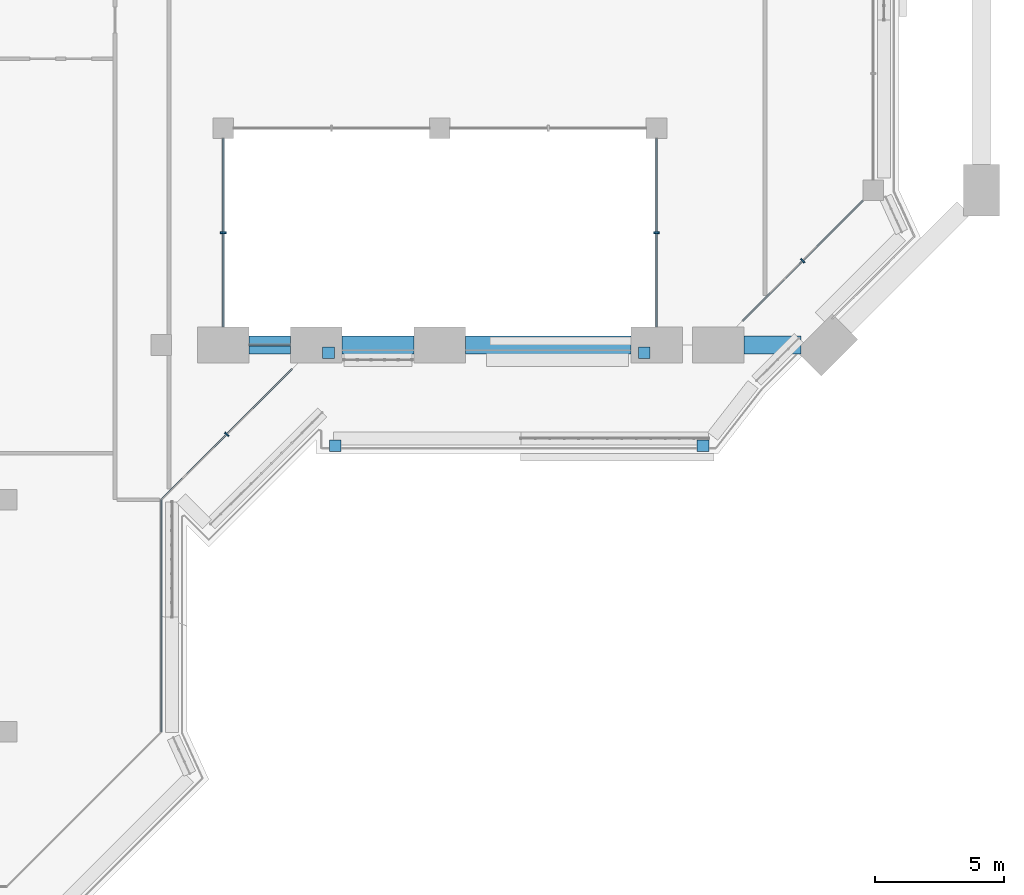
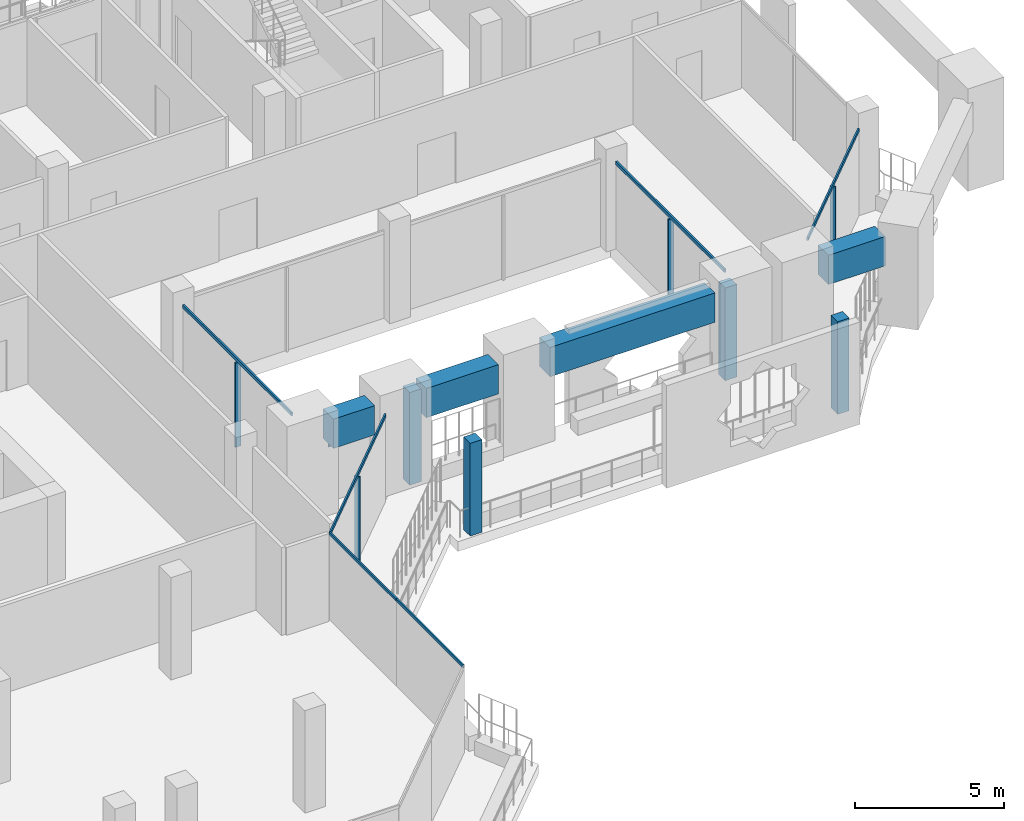
# One storey, part 4 of 23: 15 members, 4 beams, 7 elements without a shape of their own.
"""IFC4 building model written with IfcOpenShell, lengths in metres."""

from ifc_helpers import new_model, si_unit, direction, frame, origin, origin_2d, place, context, subcontext, project, spatial, rectangle, extrude, material, layer, layer_set, material_profile, profile_set, type_object, element, aggregate, save


model = new_model("IFC4")

# Units and contexts
model_context = context("Model", 3, precision=1e-05, world=origin(), true_north=direction((0.0, 1.0)))
body_context = subcontext(model_context, "Body", "Model", "MODEL_VIEW")
ifc_project = project(units=[si_unit("LENGTHUNIT", "METRE"), si_unit("AREAUNIT", "SQUARE_METRE"), si_unit("VOLUMEUNIT", "CUBIC_METRE"), si_unit("PLANEANGLEUNIT", "RADIAN"), si_unit("MASSUNIT", "GRAM", prefix="KILO")], contexts=[model_context])

# Site, building, storey
site_placement = place(None, origin())
site = spatial("IfcSite", under=ifc_project, at=site_placement, CompositionType="ELEMENT")
building_placement = place(site_placement, origin())
building = spatial("IfcBuilding", under=site, at=building_placement, Name="Kawkab Arch Medical Tower", CompositionType="ELEMENT")
storey_placement = place(building_placement, frame((0.0, 0.0, 281.800048828125)))
storey = spatial("IfcBuildingStorey", under=building, at=storey_placement, Name="L65", CompositionType="ELEMENT", Elevation=281.800048828125)

# Curtain wall, members
ifc_material_1 = material(Name="Bronze anodised aluminium curtain wall frame", Category="aluminium")
ifc_layer_1 = layer(ifc_material_1, 0.159912109375)
ifc_layer_set_1 = layer_set([ifc_layer_1], Name="Bronze anodised aluminium curtain wall frame")
curtain_wall_type_1 = type_object("IfcCurtainWallType", Name="CW1 ward curtain wall", PredefinedType="NOTDEFINED", material=ifc_layer_set_1)
placement = place(storey_placement, origin())
curtain_wall_1 = element("IfcCurtainWall", 1, at=placement, inside=storey, type_object=curtain_wall_type_1, Name="CW1 Ward curtain wall R16", PredefinedType="NOTDEFINED")
ifc_material_2 = material(Name="Bronze anodised aluminium curtain wall frame", Category="aluminium")
ifc_material_profile_1 = material_profile(ifc_material_2, rectangle(XDim=0.06005859375, YDim=0.1201171875, at=origin_2d()), Name="AL 60x120")
ifc_profile_set_1 = profile_set([ifc_material_profile_1], Name="Bronze anodised aluminium curtain wall frame")
member_type_1 = type_object("IfcMemberType", Name="CW1 transom 120 x 60", PredefinedType="USERDEFINED", material=ifc_profile_set_1)
member_1_placement = place(storey_placement, frame((31.199951171875, -40.199951171875, 3.5400390625), z_axis=(0.0, 1.0, 0.0), x_axis=(-1.0, 0.0, 0.0)))
member_1 = element("IfcMember", 2, at=member_1_placement, type_object=member_type_1, Name="CW1 transom 1", ObjectType="TRANSOM", PredefinedType="USERDEFINED", context=body_context, shape_type="SweptSolid", body=[
    extrude(rectangle(XDim=0.06005859375, YDim=0.1201171875, at=origin_2d()), origin(), (0.0, 0.0, 1.0), 4.5),
])
member_2_placement = place(storey_placement, frame((31.199951171875, -35.699951171875, 3.5400390625), z_axis=(0.0, 1.0, 0.0), x_axis=(-1.0, 0.0, 0.0)))
member_2 = element("IfcMember", 3, at=member_2_placement, type_object=member_type_1, Name="CW1 transom 2", ObjectType="TRANSOM", PredefinedType="USERDEFINED", context=body_context, shape_type="SweptSolid", body=[
    extrude(rectangle(XDim=0.06005859375, YDim=0.1201171875, at=origin_2d()), origin(), (0.0, 0.0, 1.0), 4.5),
])
aggregate(curtain_wall_1, [member_1, member_2])

# Curtain wall, member
ifc_material_3 = material(Name="Bronze anodised aluminium curtain wall frame", Category="aluminium")
ifc_layer_2 = layer(ifc_material_3, 0.159912109375)
ifc_layer_set_2 = layer_set([ifc_layer_2], Name="Bronze anodised aluminium curtain wall frame")
curtain_wall_type_2 = type_object("IfcCurtainWallType", Name="CW2 chamfer curtain wall", PredefinedType="NOTDEFINED", material=ifc_layer_set_2)
curtain_wall_2 = element("IfcCurtainWall", 4, at=placement, inside=storey, type_object=curtain_wall_type_2, Name="CW2 Chamfer curtain wall R01", PredefinedType="NOTDEFINED")
ifc_material_4 = material(Name="Bronze anodised aluminium curtain wall frame", Category="aluminium")
ifc_material_profile_2 = material_profile(ifc_material_4, rectangle(XDim=0.199951171875, YDim=0.06005859375, at=origin_2d()), Name="AL 60x200")
ifc_profile_set_2 = profile_set([ifc_material_profile_2], Name="Bronze anodised aluminium curtain wall frame")
member_type_2 = type_object("IfcMemberType", Name="CW2 mullion 60 x 200", PredefinedType="MULLION", material=ifc_profile_set_2)
member_3_placement = place(storey_placement, frame((33.73486328125, -28.665283203125, 0.0), z_axis=(0.0, 0.0, 1.0), x_axis=(-0.707106781187, 0.707106781187, 0.0)))
member_3 = element("IfcMember", 5, at=member_3_placement, type_object=member_type_2, Name="CW2 mullion 1.1", PredefinedType="MULLION", context=body_context, shape_type="SweptSolid", body=[
    extrude(rectangle(XDim=0.199951171875, YDim=0.06005859375, at=origin_2d()), origin(), (0.0, 0.0, 1.0), 3.4599609375),
])

curtain_wall_3 = element("IfcCurtainWall", 6, at=placement, inside=storey, type_object=curtain_wall_type_2, Name="CW2 Chamfer curtain wall R07", PredefinedType="NOTDEFINED")
member_4_placement = place(storey_placement, frame((56.065185546875, -21.934814453125, 0.0), z_axis=(0.0, 0.0, 1.0), x_axis=(-0.707106781187, 0.707106781187, 0.0)))
member_4 = element("IfcMember", 7, at=member_4_placement, type_object=member_type_2, Name="CW2 mullion 1.1", PredefinedType="MULLION", context=body_context, shape_type="SweptSolid", body=[
    extrude(rectangle(XDim=0.199951171875, YDim=0.06005859375, at=origin_2d()), origin(), (0.0, 0.0, 1.0), 3.4599609375),
])

# Member
ifc_material_5 = material(Name="Bronze anodised aluminium curtain wall frame", Category="aluminium")
ifc_material_profile_3 = material_profile(ifc_material_5, rectangle(XDim=0.06005859375, YDim=0.139892578125, at=origin_2d()), Name="AL 60x140")
ifc_profile_set_3 = profile_set([ifc_material_profile_3], Name="Bronze anodised aluminium curtain wall frame")
member_type_3 = type_object("IfcMemberType", Name="CW2 transom 140 x 60", PredefinedType="USERDEFINED", material=ifc_profile_set_3)
member_5_placement = place(storey_placement, frame((31.199951171875, -31.199951171875, 3.530029296875), z_axis=(0.707123806981, 0.707089754982, 0.0), x_axis=(-0.707089754982, 0.707123806981, 0.0)))
member_5 = element("IfcMember", 8, at=member_5_placement, type_object=member_type_3, Name="CW2 transom 1", ObjectType="TRANSOM", PredefinedType="USERDEFINED", context=body_context, shape_type="SweptSolid", body=[
    extrude(rectangle(XDim=0.06005859375, YDim=0.139892578125, at=origin_2d()), origin(), (0.0, 0.0, 1.0), 7.169677734375),
])

aggregate(curtain_wall_2, [member_5, member_3])

member_6_placement = place(storey_placement, frame((53.730224609375, -24.269775390625, 3.530029296875), z_axis=(0.707106781187, 0.707106781187, 0.0), x_axis=(-0.707106781187, 0.707106781187, 0.0)))
member_6 = element("IfcMember", 9, at=member_6_placement, type_object=member_type_3, Name="CW2 transom 1", ObjectType="TRANSOM", PredefinedType="USERDEFINED", context=body_context, shape_type="SweptSolid", body=[
    extrude(rectangle(XDim=0.06005859375, YDim=0.139892578125, at=origin_2d()), origin(), (0.0, 0.0, 1.0), 6.60400390625),
])

aggregate(curtain_wall_3, [member_6, member_4])

# Curtain wall, member
ifc_material_6 = material(Name="Bronze anodised aluminium curtain wall frame", Category="aluminium")
ifc_layer_3 = layer(ifc_material_6, 0.159912109375)
ifc_layer_set_3 = layer_set([ifc_layer_3], Name="Bronze anodised aluminium curtain wall frame")
curtain_wall_type_3 = type_object("IfcCurtainWallType", Name="CW3 sky garden curtain wall", PredefinedType="NOTDEFINED", material=ifc_layer_set_3)
curtain_wall_4 = element("IfcCurtainWall", 10, at=placement, inside=storey, type_object=curtain_wall_type_3, Name="CW3 Sky garden curtain wall R03", PredefinedType="NOTDEFINED")
ifc_material_7 = material(Name="Bronze anodised aluminium curtain wall frame", Category="aluminium")
ifc_material_profile_4 = material_profile(ifc_material_7, rectangle(XDim=0.219970703125, YDim=0.070068359375, at=origin_2d()), Name="AL 70x220")
ifc_profile_set_4 = profile_set([ifc_material_profile_4], Name="Bronze anodised aluminium curtain wall frame")
member_type_4 = type_object("IfcMemberType", Name="CW3 mullion 70 x 220", PredefinedType="MULLION", material=ifc_profile_set_4)
member_7_placement = place(storey_placement, frame((33.60009765625, -20.85009765625, 0.0), z_axis=(0.0, 0.0, 1.0), x_axis=(-1.0, 0.0, 0.0)))
member_7 = element("IfcMember", 11, at=member_7_placement, type_object=member_type_4, Name="CW3 mullion 1.1", PredefinedType="MULLION", context=body_context, shape_type="SweptSolid", body=[
    extrude(rectangle(XDim=0.219970703125, YDim=0.070068359375, at=origin_2d()), origin(), (0.0, 0.0, 1.0), 3.4599609375),
])

curtain_wall_5 = element("IfcCurtainWall", 12, at=placement, inside=storey, type_object=curtain_wall_type_3, Name="CW3 Sky garden curtain wall R05", PredefinedType="NOTDEFINED")
member_8_placement = place(storey_placement, frame((50.39990234375, -20.85009765625, 0.0), z_axis=(0.0, 0.0, 1.0), x_axis=(1.0, 0.0, 0.0)))
member_8 = element("IfcMember", 13, at=member_8_placement, type_object=member_type_4, Name="CW3 mullion 1.1", PredefinedType="MULLION", context=body_context, shape_type="SweptSolid", body=[
    extrude(rectangle(XDim=0.219970703125, YDim=0.070068359375, at=origin_2d()), origin(), (0.0, 0.0, 1.0), 3.4599609375),
])

curtain_wall_6 = element("IfcCurtainWall", 14, at=placement, inside=storey, type_object=curtain_wall_type_3, Name="CW3 Sky garden curtain wall R02", PredefinedType="NOTDEFINED")
ifc_material_8 = material(Name="Bronze anodised aluminium curtain wall frame", Category="aluminium")
ifc_material_profile_5 = material_profile(ifc_material_8, rectangle(XDim=0.070068359375, YDim=0.139892578125, at=origin_2d()), Name="AL 70x140")
ifc_profile_set_5 = profile_set([ifc_material_profile_5], Name="Bronze anodised aluminium curtain wall frame")
member_type_5 = type_object("IfcMemberType", Name="CW3 transom 140 x 70", PredefinedType="USERDEFINED", material=ifc_profile_set_5)
member_9_placement = place(storey_placement, frame((36.199951171875, -25.199951171875, 2.329833984375), z_axis=(-1.0, 0.0, 0.0), x_axis=(0.0, -1.0, 0.0)))
member_9 = element("IfcMember", 15, at=member_9_placement, type_object=member_type_5, Name="CW3 transom 1", ObjectType="TRANSOM", PredefinedType="USERDEFINED", context=body_context, shape_type="SweptSolid", body=[
    extrude(rectangle(XDim=0.070068359375, YDim=0.139892578125, at=origin_2d()), origin(), (0.0, 0.0, 1.0), 1.599853515625),
])
aggregate(curtain_wall_6, [member_9])

# Member
member_10_placement = place(storey_placement, frame((33.60009765625, -24.5, 3.530029296875), z_axis=(0.0, 1.0, 0.0), x_axis=(-1.0, 0.0, 0.0)))
member_10 = element("IfcMember", 16, at=member_10_placement, type_object=member_type_5, Name="CW3 transom 1", ObjectType="TRANSOM", PredefinedType="USERDEFINED", context=body_context, shape_type="SweptSolid", body=[
    extrude(rectangle(XDim=0.070068359375, YDim=0.139892578125, at=origin_2d()), origin(), (0.0, 0.0, 1.0), 7.300048828125),
])

aggregate(curtain_wall_4, [member_10, member_7])

member_11_placement = place(storey_placement, frame((50.39990234375, -17.199951171875, 3.530029296875), z_axis=(0.0, -1.0, 0.0), x_axis=(1.0, 0.0, 0.0)))
member_11 = element("IfcMember", 17, at=member_11_placement, type_object=member_type_5, Name="CW3 transom 1", ObjectType="TRANSOM", PredefinedType="USERDEFINED", context=body_context, shape_type="SweptSolid", body=[
    extrude(rectangle(XDim=0.070068359375, YDim=0.139892578125, at=origin_2d()), origin(), (0.0, 0.0, 1.0), 7.300048828125),
])

aggregate(curtain_wall_5, [member_11, member_8])

# Curtain wall, members
ifc_material_9 = material(Name="Bronze anodised aluminium climber frame, planted", Category="aluminium")
ifc_layer_4 = layer(ifc_material_9, 0.449951171875)
ifc_layer_set_4 = layer_set([ifc_layer_4], Name="Bronze anodised aluminium climber frame, planted")
curtain_wall_type_4 = type_object("IfcCurtainWallType", Name="Planted climber frame", PredefinedType="NOTDEFINED", material=ifc_layer_set_4)
curtain_wall_7 = element("IfcCurtainWall", 18, at=placement, inside=storey, type_object=curtain_wall_type_4, Name="Planted climber frame L65", PredefinedType="NOTDEFINED")
ifc_material_10 = material(Name="Bronze anodised aluminium climber frame, planted", Category="aluminium")
ifc_material_profile_6 = material_profile(ifc_material_10, rectangle(XDim=0.449951171875, YDim=0.449951171875, at=origin_2d()), Name="Post 450x450")
ifc_profile_set_6 = profile_set([ifc_material_profile_6], Name="Bronze anodised aluminium climber frame, planted")
member_type_6 = type_object("IfcMemberType", Name="Planted climber post 450 x 450", PredefinedType="MULLION", material=ifc_profile_set_6)
member_12_placement = place(storey_placement, frame((37.679931640625, -25.5, 0.0), z_axis=(0.0, 0.0, 1.0), x_axis=(1.0, 0.0, 0.0)))
member_12 = element("IfcMember", 19, at=member_12_placement, type_object=member_type_6, Name="Planted climber post L65.LOG-01-01.1", PredefinedType="MULLION", context=body_context, shape_type="SweptSolid", body=[
    extrude(rectangle(XDim=0.449951171875, YDim=0.449951171875, at=origin_2d()), origin(), (0.0, 0.0, 1.0), 3.800048828125),
])
member_13_placement = place(storey_placement, frame((49.919921875, -25.5, 0.0), z_axis=(0.0, 0.0, 1.0), x_axis=(1.0, 0.0, 0.0)))
member_13 = element("IfcMember", 20, at=member_13_placement, type_object=member_type_6, Name="Planted climber post L65.LOG-01-01.2", PredefinedType="MULLION", context=body_context, shape_type="SweptSolid", body=[
    extrude(rectangle(XDim=0.449951171875, YDim=0.449951171875, at=origin_2d()), origin(), (0.0, 0.0, 1.0), 3.800048828125),
])
member_14_placement = place(storey_placement, frame((52.202880859375, -29.10009765625, 0.0), z_axis=(0.0, 0.0, 1.0), x_axis=(1.0, 0.0, 0.0)))
member_14 = element("IfcMember", 21, at=member_14_placement, type_object=member_type_6, Name="Planted climber post L65.LOG-01-02.3", PredefinedType="MULLION", context=body_context, shape_type="SweptSolid", body=[
    extrude(rectangle(XDim=0.449951171875, YDim=0.449951171875, at=origin_2d()), origin(), (0.0, 0.0, 1.0), 3.800048828125),
])
member_15_placement = place(storey_placement, frame((37.949951171875, -29.10009765625, 0.0), z_axis=(0.0, 0.0, 1.0), x_axis=(1.0, 0.0, 0.0)))
member_15 = element("IfcMember", 22, at=member_15_placement, type_object=member_type_6, Name="Planted climber post L65.LOG-01-02.4", PredefinedType="MULLION", context=body_context, shape_type="SweptSolid", body=[
    extrude(rectangle(XDim=0.449951171875, YDim=0.449951171875, at=origin_2d()), origin(), (0.0, 0.0, 1.0), 3.800048828125),
])
aggregate(curtain_wall_7, [member_12, member_13, member_14, member_15])

# Beams
ifc_material_11 = material(Name="Concrete C40/50", Category="concrete")
ifc_material_profile_7 = material_profile(ifc_material_11, rectangle(XDim=0.699951171875, YDim=1.199951171875, at=origin_2d()), Name="RC 700x1200")
ifc_profile_set_7 = profile_set([ifc_material_profile_7], Name="Concrete C40/50")
beam_type = type_object("IfcBeamType", Name="RC 700x1200 beam C40/50", PredefinedType="BEAM", material=ifc_profile_set_7)
beam_1_placement = place(storey_placement, frame((49.39990234375, -25.199951171875, 3.0), z_axis=(-1.0, 0.0, 0.0), x_axis=(0.0, -1.0, 0.0)))
element("IfcBeam", 23, at=beam_1_placement, inside=storey, type_object=beam_type, Name="Terrace frame beam TF-L64-1-L66-01", PredefinedType="BEAM", context=body_context, shape_type="SweptSolid", body=[
    extrude(rectangle(XDim=0.699951171875, YDim=1.199951171875, at=origin_2d()), origin(), (0.0, 0.0, 1.0), 6.39990234375),
])
beam_2_placement = place(storey_placement, frame((41.0, -25.199951171875, 3.0), z_axis=(-1.0, 0.0, 0.0), x_axis=(0.0, -1.0, 0.0)))
element("IfcBeam", 24, at=beam_2_placement, inside=storey, type_object=beam_type, Name="Terrace frame beam TF-L64-1-L66-02", PredefinedType="BEAM", context=body_context, shape_type="SweptSolid", body=[
    extrude(rectangle(XDim=0.699951171875, YDim=1.199951171875, at=origin_2d()), origin(), (0.0, 0.0, 1.0), 2.800048828125),
])
beam_3_placement = place(storey_placement, frame((36.199951171875, -25.199951171875, 3.0), z_axis=(-1.0, 0.0, 0.0), x_axis=(0.0, -1.0, 0.0)))
element("IfcBeam", 25, at=beam_3_placement, inside=storey, type_object=beam_type, Name="Terrace frame beam TF-L64-1-L66-03", PredefinedType="BEAM", context=body_context, shape_type="SweptSolid", body=[
    extrude(rectangle(XDim=0.699951171875, YDim=1.199951171875, at=origin_2d()), origin(), (0.0, 0.0, 1.0), 1.599853515625),
])
beam_4_placement = place(storey_placement, frame((56.010009765625, -25.199951171875, 3.0), z_axis=(-1.0, 0.0, 0.0), x_axis=(0.0, -1.0, 0.0)))
element("IfcBeam", 26, at=beam_4_placement, inside=storey, type_object=beam_type, Name="Terrace frame beam TF-L64-2-L66-05", PredefinedType="BEAM", context=body_context, shape_type="SweptSolid", body=[
    extrude(rectangle(XDim=0.699951171875, YDim=1.199951171875, at=origin_2d()), origin(), (0.0, 0.0, 1.0), 2.2099609375),
])

save(model, "model.ifc")
